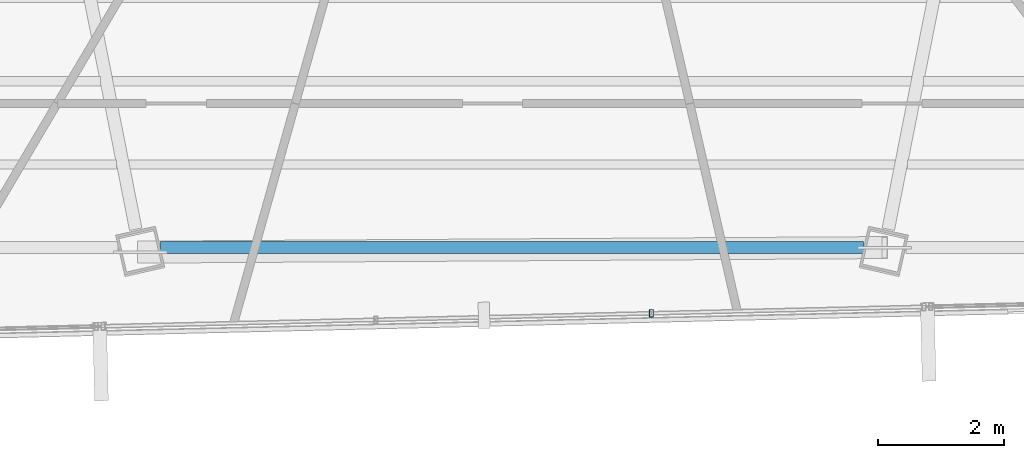
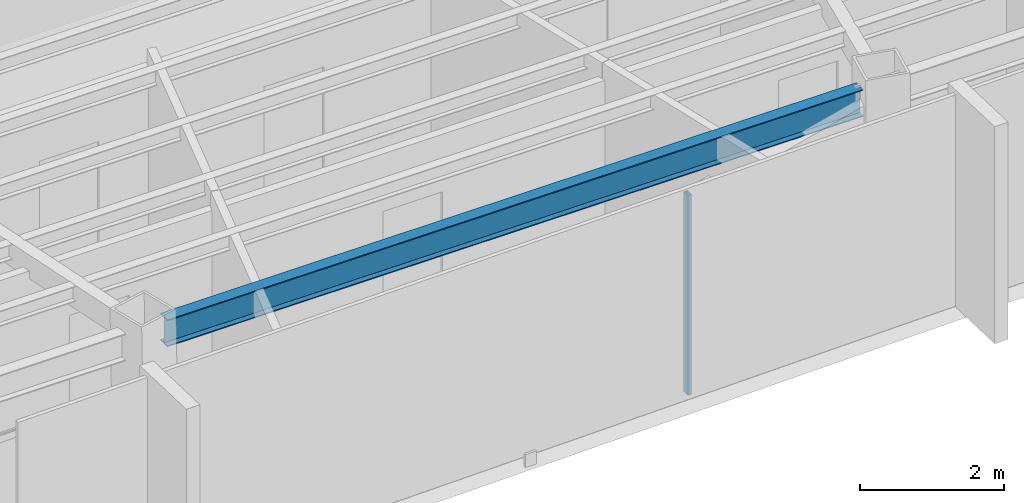
# One storey, part 13 of 44: 1 beam, 1 member, 1 element without a shape of its own.
"""IFC4 building model written with IfcOpenShell, lengths in metres."""

from ifc_helpers import new_model, si_unit, direction, frame, origin, origin_2d, place, context, subcontext, project, spatial, hollow_rectangle, i_section, extrude, source, transform, mapped, material, material_profile, profile_set, type_object, type_shapes, element, aggregate, save


model = new_model("IFC4")

# Units and contexts
model_context = context("Model", 3, precision=1e-05, world=origin(), true_north=direction((0.0, 1.0)))
body_context = subcontext(model_context, "Body", "Model", "MODEL_VIEW")
ifc_project = project(units=[si_unit("LENGTHUNIT", "METRE"), si_unit("AREAUNIT", "SQUARE_METRE"), si_unit("VOLUMEUNIT", "CUBIC_METRE"), si_unit("PLANEANGLEUNIT", "RADIAN"), si_unit("MASSUNIT", "GRAM", prefix="KILO")], contexts=[model_context])

# Site, building, storey
site_placement = place(None, origin())
site = spatial("IfcSite", under=ifc_project, at=site_placement, CompositionType="ELEMENT")
building_placement = place(site_placement, origin())
building = spatial("IfcBuilding", under=site, at=building_placement, Name="Caelisora Broadcast Tower", CompositionType="ELEMENT")
storey_placement = place(building_placement, frame((0.0, 0.0, 259.050048828125)))
storey = spatial("IfcBuildingStorey", under=building, at=storey_placement, Name="L68", CompositionType="ELEMENT", Elevation=259.050048828125)

# Beam
ifc_material_1 = material(Name="Steel Grade 350 (AS/NZS 3679.1)", Category="steel")
ifc_material_profile_1 = material_profile(ifc_material_1, i_section(OverallWidth=0.19091796875, OverallDepth=0.46044921875, WebThickness=0.010009765625, FlangeThickness=0.01611328125, at=origin_2d()), Name="Steel Grade 350 (AS/NZS 3679.1)")
ifc_profile_set_1 = profile_set([ifc_material_profile_1], Name="Steel Grade 350 (AS/NZS 3679.1)")
beam_type = type_object("IfcBeamType", Name="PG06", PredefinedType="BEAM", material=ifc_profile_set_1)
shared_shape_1 = source(origin(), body_context, "Body", "SweptSolid", [
    extrude(i_section(OverallWidth=0.19091796875, OverallDepth=0.46044921875, WebThickness=0.010009765625, FlangeThickness=0.01611328125, at=origin_2d()), origin(), (0.0, 0.0, 1.0), 11.18994140625),
])
type_shapes(beam_type, [shared_shape_1])
beam_placement = place(storey_placement, frame((32.405029296875, 9.456787109375, 3.169677734375), z_axis=(1.0, 0.0, 0.0), x_axis=(0.0, 1.0, 0.0)))
element("IfcBeam", 1, at=beam_placement, inside=storey, type_object=beam_type, Name="L68 beam PG06", PredefinedType="BEAM", context=body_context, shape_type="MappedRepresentation", body=[
    mapped(shared_shape_1, transform((0.0, 0.0, 0.0), scale=1.0)),
])

# Curtain wall, member
ifc_material_2 = material(Name="Unitised Aluminium Insulated Shadow-Box Spandrel Curtain Wall", Category="aluminium")
curtain_wall_type = type_object("IfcCurtainWallType", Name="CW-SP3", PredefinedType="NOTDEFINED", material=ifc_material_2)
curtain_wall_placement = place(storey_placement, origin())
curtain_wall = element("IfcCurtainWall", 2, at=curtain_wall_placement, inside=storey, type_object=curtain_wall_type, Name="L68 curtain wall CW-SP3", PredefinedType="NOTDEFINED")
ifc_material_3 = material(Name="Aluminium 6063-T6 Anodised Terracotta Bronze", Category="aluminium")
ifc_material_profile_2 = material_profile(ifc_material_3, hollow_rectangle(XDim=0.06005859375, YDim=0.1201171875, WallThickness=0.0029296875, at=origin_2d()), Name="Aluminium 6063-T6 Anodised Terracotta Bronze")
ifc_profile_set_2 = profile_set([ifc_material_profile_2], Name="Aluminium 6063-T6 Anodised Terracotta Bronze")
member_type = type_object("IfcMemberType", Name="CWM-04", PredefinedType="MULLION", material=ifc_profile_set_2)
shared_shape_2 = source(origin(), body_context, "Body", "SweptSolid", [
    extrude(hollow_rectangle(XDim=0.06005859375, YDim=0.1201171875, WallThickness=0.0029296875, at=origin_2d()), origin(), (0.0, 0.0, 1.0), 3.39990234375),
])
type_shapes(member_type, [shared_shape_2])
member_placement = place(storey_placement, frame((40.21875, 8.41064453125, 0.0), z_axis=(0.0, 0.0, 1.0), x_axis=(1.0, 0.0, 0.0)))
member = element("IfcMember", 3, at=member_placement, type_object=member_type, Name="L68-CW-B06 mullion #1", PredefinedType="MULLION", context=body_context, shape_type="MappedRepresentation", body=[
    mapped(shared_shape_2, transform((0.0, 0.0, 0.0), scale=1.0)),
])
aggregate(curtain_wall, [member])

save(model, "model.ifc")
